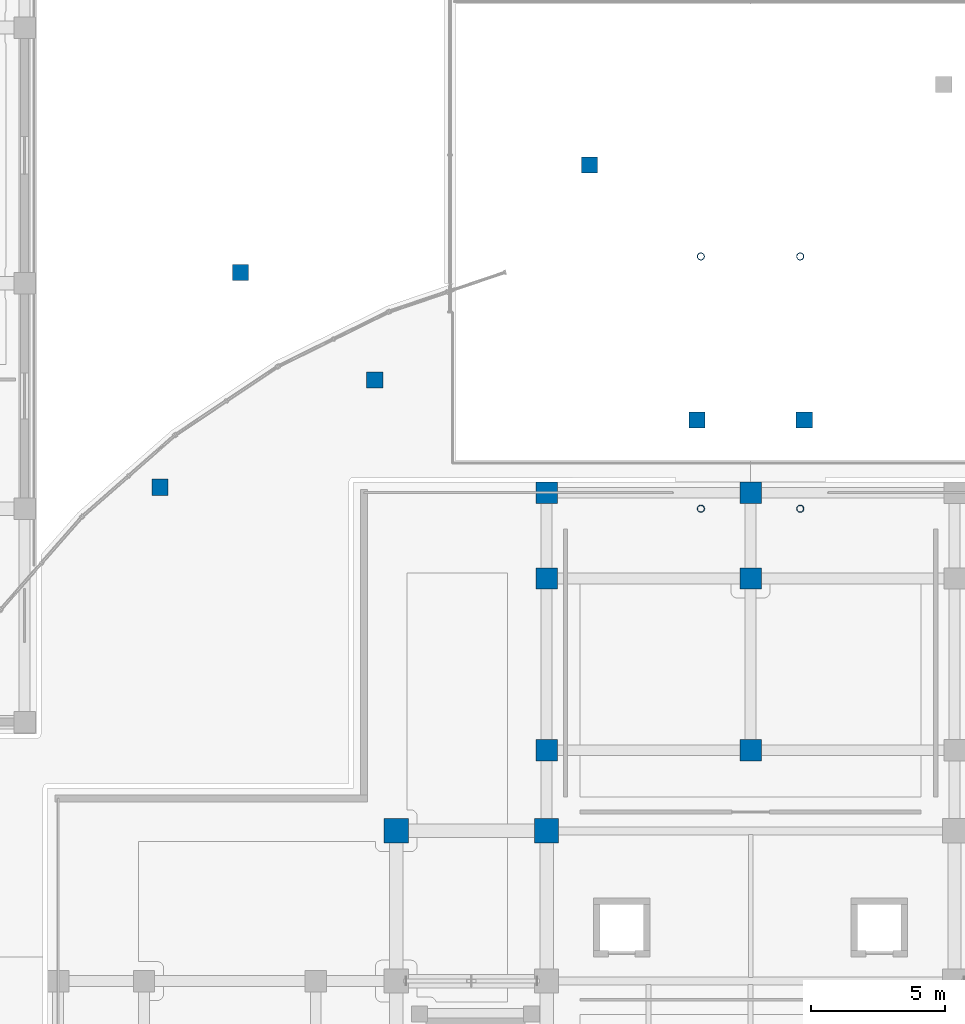
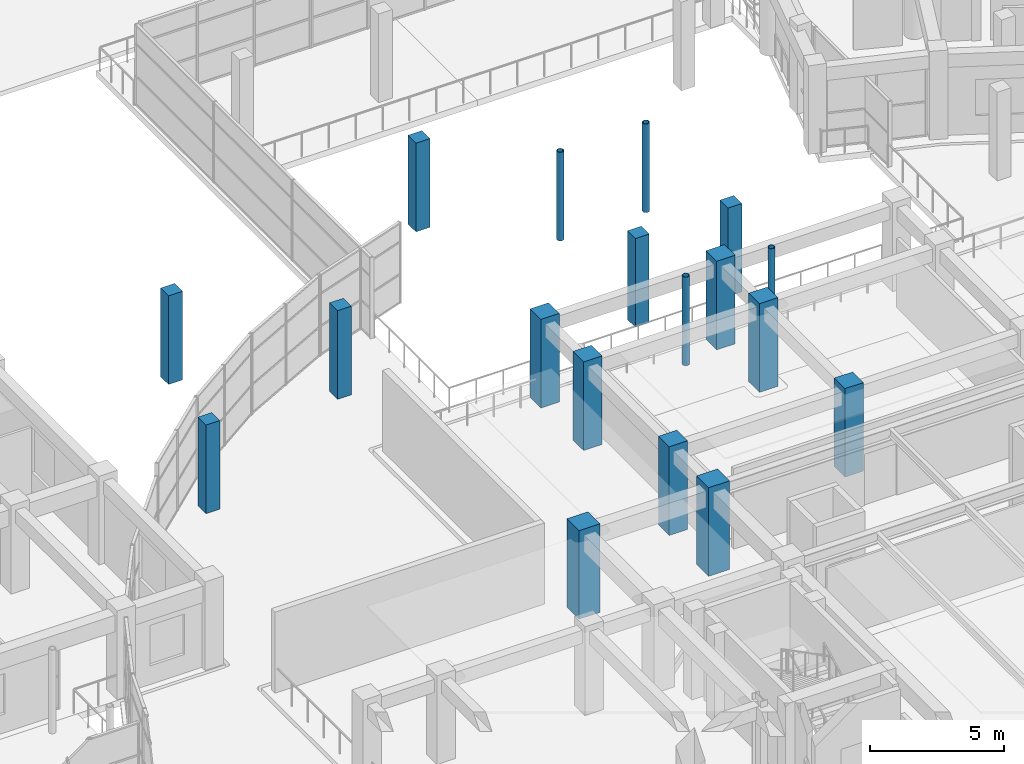
# One storey, part 7 of 87: 18 columns.
"""IFC4 building model written with IfcOpenShell, lengths in metres."""

from ifc_helpers import new_model, si_unit, direction, frame, origin, origin_2d, place, context, subcontext, project, spatial, rectangle, hollow_circle, extrude, material, material_profile, profile_set, type_object, element, save


model = new_model("IFC4")

# Units and contexts
model_context = context("Model", 3, precision=1e-05, world=origin(), true_north=direction((0.0, 1.0)))
body_context = subcontext(model_context, "Body", "Model", "MODEL_VIEW")
ifc_project = project(units=[si_unit("LENGTHUNIT", "METRE"), si_unit("AREAUNIT", "SQUARE_METRE"), si_unit("VOLUMEUNIT", "CUBIC_METRE"), si_unit("PLANEANGLEUNIT", "RADIAN"), si_unit("MASSUNIT", "GRAM", prefix="KILO")], contexts=[model_context])

# Site, building, storey
site_placement = place(None, origin())
site = spatial("IfcSite", under=ifc_project, at=site_placement, CompositionType="ELEMENT")
building_placement = place(site_placement, origin())
building = spatial("IfcBuilding", under=site, at=building_placement, Name="Saryqyr Civic Hall", CompositionType="ELEMENT")
storey_placement = place(building_placement, frame((0.0, 0.0, 5.10009765625)))
storey = spatial("IfcBuildingStorey", under=building, at=storey_placement, Name="L01", CompositionType="ELEMENT", Elevation=5.10009765625)

# Columns
ifc_material_1 = material(Name="Steel S355", Category="steel")
ifc_material_profile_1 = material_profile(ifc_material_1, hollow_circle(Radius=0.136474609375, WallThickness=0.01611328125, at=origin_2d()), Name="CHS 273x16")
ifc_profile_set_1 = profile_set([ifc_material_profile_1], Name="Steel S355")
column_type_1 = type_object("IfcColumnType", Name="STR-COL-CHS273-S355", PredefinedType="COLUMN", material=ifc_profile_set_1)
for number, where, z_axis, x_axis, name in (
    (1, (55.14990234375, 109.199951171875, 0.0), (0.0, 0.0, 1.0), (1.0, 0.0, 0.0), "Column BRCOL-BR-CN-1-L01"),
    (2, (58.85009765625, 109.199951171875, 0.0), (0.0, 0.0, 1.0), (1.0, 0.0, 0.0), "Column BRCOL-BR-CN-2-L01"),
    (3, (58.85009765625, 118.60009765625, 0.0), (0.0, 0.0, 1.0), (1.0, 0.0, 0.0), "Column BRCOL-BR-CN-3-L01"),
    (4, (55.14990234375, 118.60009765625, 0.0), (0.0, 0.0, 1.0), (1.0, 0.0, 0.0), "Column BRCOL-BR-CN-4-L01"),
):
    element("IfcColumn", number, at=place(storey_placement, frame(where, z_axis=z_axis, x_axis=x_axis)), inside=storey, type_object=column_type_1, Name=name, PredefinedType="COLUMN", context=body_context, shape_type="SweptSolid", body=[
        extrude(hollow_circle(Radius=0.136474609375, WallThickness=0.01611328125, at=origin_2d()), origin(), (0.0, 0.0, 1.0), 4.0498046875),
    ])
ifc_material_2 = material(Name="Concrete C40/50", Category="concrete")
ifc_material_profile_2 = material_profile(ifc_material_2, rectangle(XDim=0.60009765625, YDim=0.60009765625, at=origin_2d()), Name="RC 600x600")
ifc_profile_set_2 = profile_set([ifc_material_profile_2], Name="Concrete C40/50")
column_type_2 = type_object("IfcColumnType", Name="STR-COL-RC600-C40", PredefinedType="COLUMN", material=ifc_profile_set_2)
for number, where, z_axis, x_axis, name in (
    (5, (38.0, 118.0, 0.0), (0.0, 0.0, 1.0), (1.0, 0.0, 0.0), "Column V2-XCOL-16-L01"),
    (6, (43.0, 114.0, 0.0), (0.0, 0.0, 1.0), (1.0, 0.0, 0.0), "Column V2-XCOL-17-L01"),
    (7, (35.0, 110.0, 0.0), (0.0, 0.0, 1.0), (1.0, 0.0, 0.0), "Column V2-XCOL-18-L01"),
    (8, (51.0, 122.0, 0.0), (0.0, 0.0, 1.0), (1.0, 0.0, 0.0), "Column V2-XCOL-21-L01"),
    (9, (55.0, 112.5, 0.0), (0.0, 0.0, 1.0), (1.0, 0.0, 0.0), "Column V2-XCOL-33-L01"),
    (10, (59.0, 112.5, 0.0), (0.0, 0.0, 1.0), (1.0, 0.0, 0.0), "Column V2-XCOL-34-L01"),
):
    element("IfcColumn", number, at=place(storey_placement, frame(where, z_axis=z_axis, x_axis=x_axis)), inside=storey, type_object=column_type_2, Name=name, PredefinedType="COLUMN", context=body_context, shape_type="SweptSolid", body=[
        extrude(rectangle(XDim=0.60009765625, YDim=0.60009765625, at=origin_2d()), origin(), (0.0, 0.0, 1.0), 4.0498046875),
    ])
ifc_material_profile_3 = material_profile(ifc_material_2, rectangle(XDim=0.800048828125, YDim=0.800048828125, at=origin_2d()), Name="RC 800x800")
ifc_profile_set_3 = profile_set([ifc_material_profile_3], Name="Concrete C40/50")
column_type_3 = type_object("IfcColumnType", Name="STR-COL-RC800-C40", PredefinedType="COLUMN", material=ifc_profile_set_3)
for number, where, z_axis, x_axis, name in (
    (11, (49.39990234375, 100.199951171875, 0.0), (0.0, 0.0, 1.0), (1.0, 0.0, 0.0), "Column V1-COL-S3P10-L01"),
    (12, (57.0, 100.199951171875, 0.0), (0.0, 0.0, 1.0), (1.0, 0.0, 0.0), "Column V1-COL-S3P11-L01"),
    (13, (49.39990234375, 106.60009765625, 0.0), (0.0, 0.0, 1.0), (1.0, 0.0, 0.0), "Column V1-COL-S1P10-L01"),
    (14, (57.0, 106.60009765625, 0.0), (0.0, 0.0, 1.0), (1.0, 0.0, 0.0), "Column V1-COL-S1P11-L01"),
    (15, (49.39990234375, 109.800048828125, 0.0), (0.0, 0.0, 1.0), (1.0, 0.0, 0.0), "Column V1-COL-S0P10-L01"),
    (16, (57.0, 109.800048828125, 0.0), (0.0, 0.0, 1.0), (1.0, 0.0, 0.0), "Column V1-COL-S0P11-L01"),
):
    element("IfcColumn", number, at=place(storey_placement, frame(where, z_axis=z_axis, x_axis=x_axis)), inside=storey, type_object=column_type_3, Name=name, PredefinedType="COLUMN", context=body_context, shape_type="SweptSolid", body=[
        extrude(rectangle(XDim=0.800048828125, YDim=0.800048828125, at=origin_2d()), origin(), (0.0, 0.0, 1.0), 4.0498046875),
    ])
ifc_material_profile_4 = material_profile(ifc_material_2, rectangle(XDim=0.89990234375, YDim=0.89990234375, at=origin_2d()), Name="RC 900x900")
ifc_profile_set_4 = profile_set([ifc_material_profile_4], Name="Concrete C40/50")
column_type_4 = type_object("IfcColumnType", Name="STR-COL-RC900-C40", PredefinedType="COLUMN", material=ifc_profile_set_4)
for number, where, z_axis, x_axis, name in (
    (17, (43.800048828125, 97.199951171875, 0.0), (0.0, 0.0, 1.0), (1.0, 0.0, 0.0), "Column V1-COL-C14-L01"),
    (18, (49.39990234375, 97.199951171875, 0.0), (0.0, 0.0, 1.0), (1.0, 0.0, 0.0), "Column V1-COL-C24-L01"),
):
    element("IfcColumn", number, at=place(storey_placement, frame(where, z_axis=z_axis, x_axis=x_axis)), inside=storey, type_object=column_type_4, Name=name, PredefinedType="COLUMN", context=body_context, shape_type="SweptSolid", body=[
        extrude(rectangle(XDim=0.89990234375, YDim=0.89990234375, at=origin_2d()), origin(), (0.0, 0.0, 1.0), 4.0498046875),
    ])

save(model, "model.ifc")
